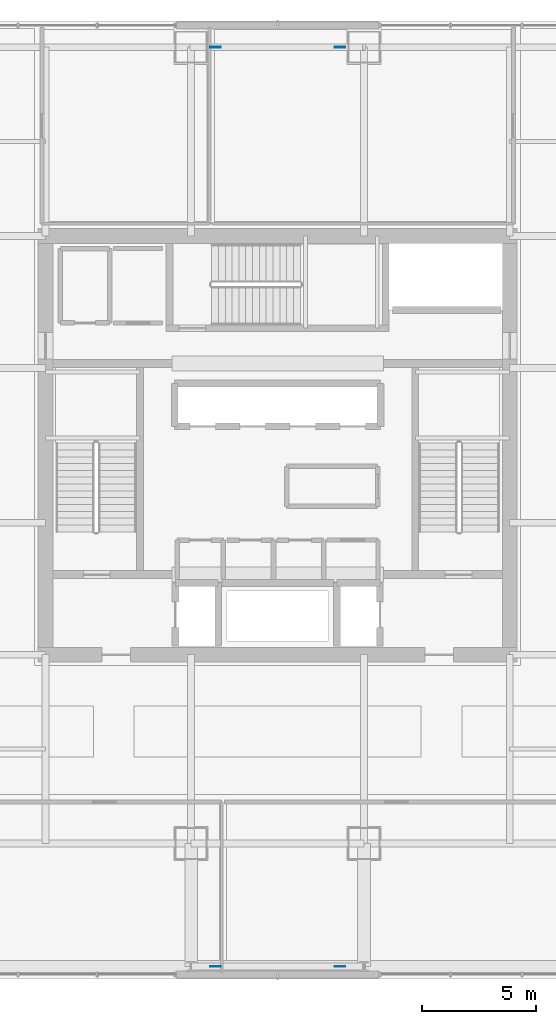
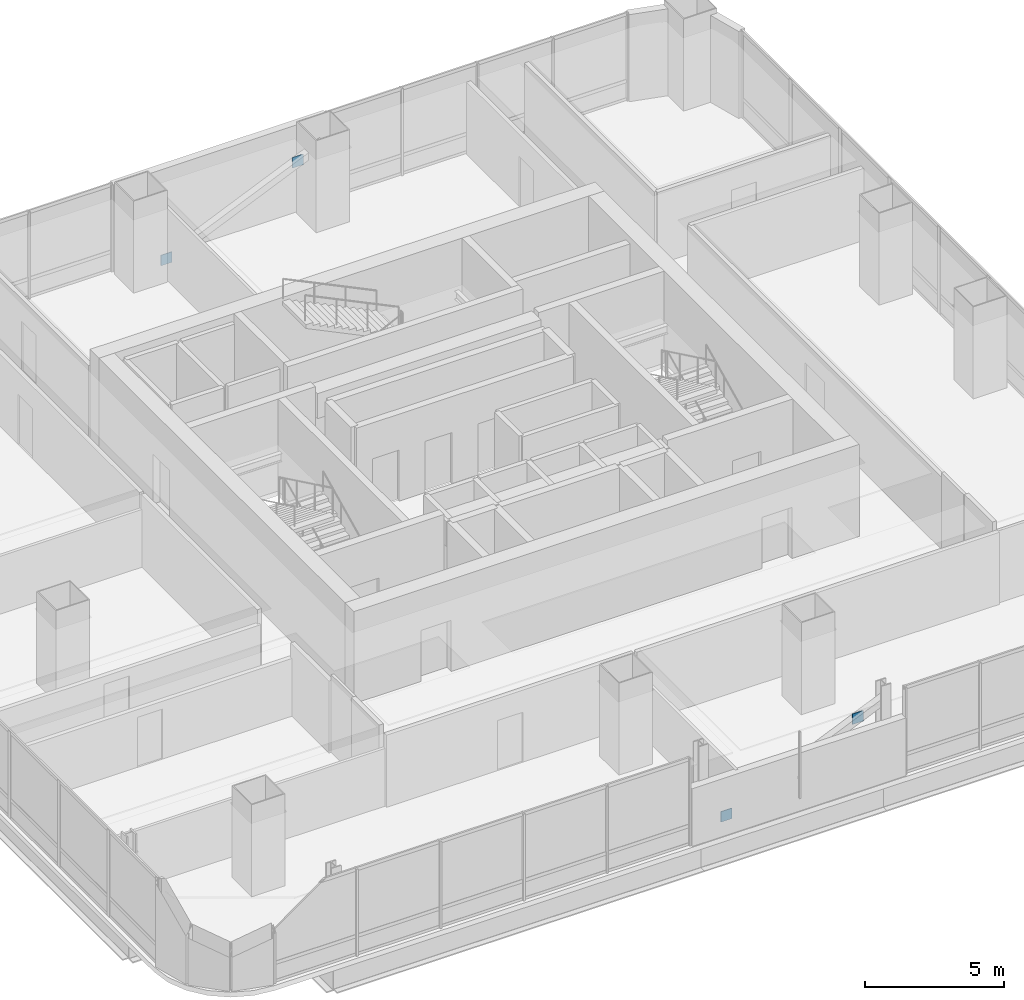
# One storey, part 27 of 38: 4 plates.
"""IFC4 building model written with IfcOpenShell, lengths in metres."""

from ifc_helpers import new_model, si_unit, direction, frame, origin, origin_2d, place, context, subcontext, project, spatial, rectangle, extrude, material, layer, layer_set, type_object, element, save


model = new_model("IFC4")

# Units and contexts
model_context = context("Model", 3, precision=1e-05, world=origin(), true_north=direction((0.0, 1.0)))
body_context = subcontext(model_context, "Body", "Model", "MODEL_VIEW")
ifc_project = project(units=[si_unit("LENGTHUNIT", "METRE"), si_unit("AREAUNIT", "SQUARE_METRE"), si_unit("VOLUMEUNIT", "CUBIC_METRE"), si_unit("PLANEANGLEUNIT", "RADIAN"), si_unit("MASSUNIT", "GRAM", prefix="KILO")], contexts=[model_context])

# Site, building, storey
site_placement = place(None, origin())
site = spatial("IfcSite", under=ifc_project, at=site_placement, CompositionType="ELEMENT")
building_placement = place(site_placement, origin())
building = spatial("IfcBuilding", under=site, at=building_placement, Name="Punatoya Terracotta Tower", CompositionType="ELEMENT")
storey_placement = place(building_placement, frame((0.0, 0.0, 188.39990234375)))
storey = spatial("IfcBuildingStorey", under=building, at=storey_placement, Name="L44", CompositionType="ELEMENT", Elevation=188.39990234375)

# Plates
ifc_material = material(Name="Steel S460", Category="steel")
ifc_layer = layer(ifc_material, 0.031982421875)
ifc_layer_set = layer_set([ifc_layer], Name="Steel S460")
plate_type = type_object("IfcPlateType", Name="PLT-END-32", PredefinedType="USERDEFINED", material=ifc_layer_set)
for number, where, z_axis, x_axis, name in (
    (1, (-2.736083984375, -22.89990234375, 0.25341796875), (0.0, 0.0, 1.0), (1.0, 0.0, 0.0), "L44 Wind Brace S2 End Plate 1"),
    (2, (2.736083984375, -22.89990234375, 2.63671875), (0.0, 0.0, 1.0), (1.0, 0.0, 0.0), "L44 Wind Brace S2 End Plate 2"),
    (3, (-2.736083984375, 17.5, 0.25341796875), (0.0, 0.0, 1.0), (1.0, 0.0, 0.0), "L44 Wind Brace N2 End Plate 1"),
    (4, (2.736083984375, 17.5, 2.63671875), (0.0, 0.0, 1.0), (1.0, 0.0, 0.0), "L44 Wind Brace N2 End Plate 2"),
):
    element("IfcPlate", number, at=place(storey_placement, frame(where, z_axis=z_axis, x_axis=x_axis)), inside=storey, type_object=plate_type, Name=name, ObjectType="FLANGE_PLATE", PredefinedType="USERDEFINED", context=body_context, shape_type="SweptSolid", body=[
        extrude(rectangle(XDim=0.4599609375, YDim=0.031982421875, at=origin_2d()), origin(), (0.0, 0.0, 1.0), 0.4599609375),
    ])

save(model, "model.ifc")
